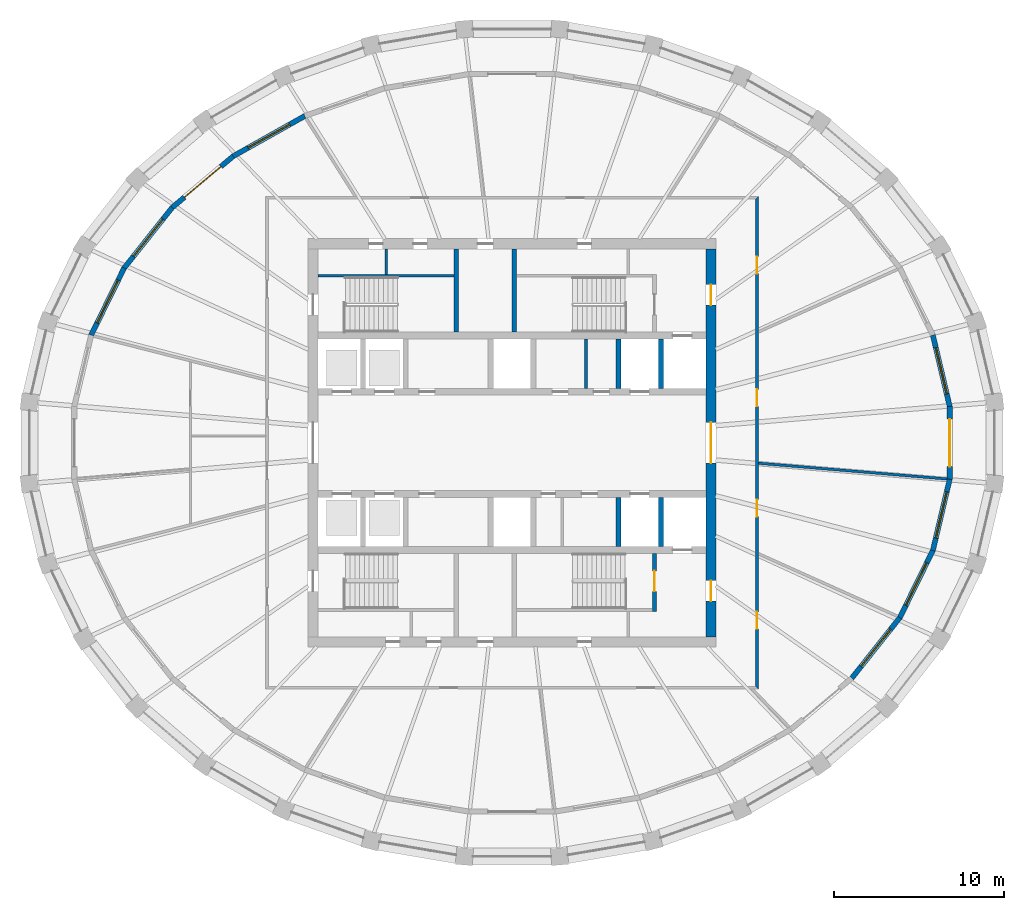
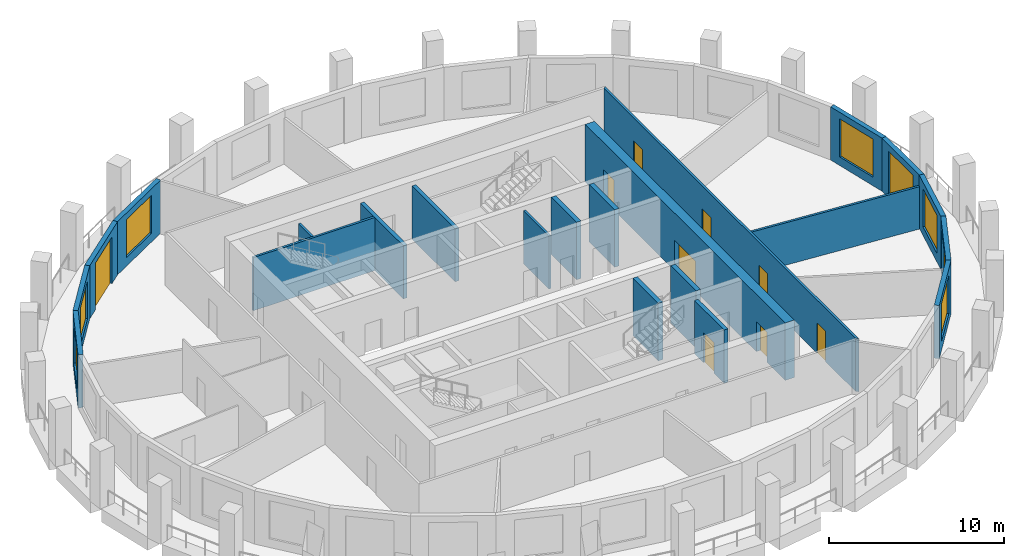
# One storey, part 5 of 10: 22 walls, 10 doors, 7 windows, 17 openings.
"""IFC4 building model written with IfcOpenShell, lengths in metres."""

from ifc_helpers import new_model, si_unit, direction, frame, frame_2d, origin, place, context, subcontext, project, spatial, polyline, rectangle, outline, extrude, material, layer, layer_set, type_object, element, fill, save


model = new_model("IFC4")

# Units and contexts
model_context = context("Model", 3, precision=1e-05, world=origin(), true_north=direction((0.0, 1.0)))
body_context = subcontext(model_context, "Body", "Model", "MODEL_VIEW")
ifc_project = project(units=[si_unit("LENGTHUNIT", "METRE"), si_unit("AREAUNIT", "SQUARE_METRE"), si_unit("VOLUMEUNIT", "CUBIC_METRE"), si_unit("PLANEANGLEUNIT", "RADIAN"), si_unit("MASSUNIT", "GRAM", prefix="KILO")], contexts=[model_context])

# Site, building, storey
site_placement = place(None, origin())
site = spatial("IfcSite", under=ifc_project, at=site_placement, CompositionType="ELEMENT")
building_placement = place(site_placement, origin())
building = spatial("IfcBuilding", under=site, at=building_placement, Name="Halqa Exchange Tower", CompositionType="ELEMENT")
storey_placement = place(building_placement, frame((0.0, 0.0, 316.300048828125)))
storey = spatial("IfcBuildingStorey", under=building, at=storey_placement, Name="L74", CompositionType="ELEMENT", Elevation=316.300048828125)

# Wall, openings, doors
ifc_material_1 = material(Name="Fire-rated gypsum board")
ifc_layer_1 = layer(ifc_material_1, 0.14990234375)
ifc_layer_set_1 = layer_set([ifc_layer_1], Name="Fire-rated gypsum board")
wall_type_1 = type_object("IfcWallType", Name="Fire partition EI 60 150", PredefinedType="PARTITIONING", material=ifc_layer_set_1)
wall_1_placement = place(storey_placement, frame((14.39990234375, -14.47509765625, 0.0), z_axis=(0.0, 0.0, 1.0), x_axis=(0.0, 1.0, 0.0)))
wall_1 = element("IfcWall", 1, at=wall_1_placement, inside=storey, type_object=wall_type_1, Name="L74-PWL-015", PredefinedType="PARTITIONING", context=body_context, shape_type="SweptSolid", body=[
    extrude(outline(polyline([(0.000244140625, -0.074951171875), (1.93017578125, -0.074951171875), (3.860107421875, -0.074951171875), (5.790283203125, -0.074951171875), (7.72021484375, -0.074951171875), (9.650146484375, -0.074951171875), (11.580078125, -0.074951171875), (13.510009765625, -0.074951171875), (15.440185546875, -0.074951171875), (17.3701171875, -0.074951171875), (19.300048828125, -0.074951171875), (21.22998046875, -0.074951171875), (23.159912109375, -0.074951171875), (25.090087890625, -0.074951171875), (27.02001953125, -0.074951171875), (28.949951171875, -0.074951171875), (28.800048828125, 0.074951171875), (26.89013671875, 0.074951171875), (24.97998046875, 0.074951171875), (23.070068359375, 0.074951171875), (21.16015625, 0.074951171875), (19.25, 0.074951171875), (17.340087890625, 0.074951171875), (15.43017578125, 0.074951171875), (13.52001953125, 0.074951171875), (11.610107421875, 0.074951171875), (9.7001953125, 0.074951171875), (7.7900390625, 0.074951171875), (5.880126953125, 0.074951171875), (3.97021484375, 0.074951171875), (2.06005859375, 0.074951171875), (0.150146484375, 0.074951171875), (0.000244140625, -0.074951171875)])), origin(), (0.0, 0.0, 1.0), 3.699951171875),
])
opening_1_placement = place(wall_1_placement, frame((24.4150390625, 0.0, 0.0)))
opening_1 = element("IfcOpeningElement", 2, at=opening_1_placement, cuts=wall_1, Name="Opening 23-01", PredefinedType="OPENING", context=body_context, shape_type="SweptSolid", body=[
    extrude(rectangle(XDim=1.0, YDim=2.10009765625, at=frame_2d((0.5, 1.050048828125))), frame((0.0, 0.0869140625, 0.0), z_axis=(0.0, -1.0, 0.0), x_axis=(1.0, 0.0, 0.0)), (0.0, 0.0, 1.0), 0.173828125),
])
opening_2_placement = place(wall_1_placement, frame((3.534912109375, 0.0, 0.0)))
opening_2 = element("IfcOpeningElement", 3, at=opening_2_placement, cuts=wall_1, Name="Opening 23-10", PredefinedType="OPENING", context=body_context, shape_type="SweptSolid", body=[
    extrude(rectangle(XDim=1.0, YDim=2.10009765625, at=frame_2d((0.5, 1.050048828125))), frame((0.0, 0.0869140625, 0.0), z_axis=(0.0, -1.0, 0.0), x_axis=(1.0, 0.0, 0.0)), (0.0, 0.0, 1.0), 0.173828125),
])
opening_3_placement = place(wall_1_placement, frame((10.139892578125, 0.0, 0.0)))
opening_3 = element("IfcOpeningElement", 4, at=opening_3_placement, cuts=wall_1, Name="Opening 23-11", PredefinedType="OPENING", context=body_context, shape_type="SweptSolid", body=[
    extrude(rectangle(XDim=1.0, YDim=2.10009765625, at=frame_2d((0.5, 1.050048828125))), frame((0.0, 0.0869140625, 0.0), z_axis=(0.0, -1.0, 0.0), x_axis=(1.0, 0.0, 0.0)), (0.0, 0.0, 1.0), 0.173828125),
])
opening_4_placement = place(wall_1_placement, frame((16.6201171875, 0.0, 0.0)))
opening_4 = element("IfcOpeningElement", 5, at=opening_4_placement, cuts=wall_1, Name="Opening 23-12", PredefinedType="OPENING", context=body_context, shape_type="SweptSolid", body=[
    extrude(rectangle(XDim=1.0, YDim=2.10009765625, at=frame_2d((0.5, 1.050048828125))), frame((0.0, 0.0869140625, 0.0), z_axis=(0.0, -1.0, 0.0), x_axis=(1.0, 0.0, 0.0)), (0.0, 0.0, 1.0), 0.173828125),
])
ifc_material_2 = material(Name="Steel fire door leaf", Category="steel")
door_type_1 = type_object("IfcDoorType", Name="Fire door FD30S 1000 x 2100", OperationType="SINGLE_SWING_LEFT", PredefinedType="DOOR", material=ifc_material_2)
door_1_placement = place(opening_1_placement, frame((1.0, 0.0, 0.0), z_axis=(0.0, 0.0, 1.0), x_axis=(-1.0, 0.0, 0.0)))
door_1 = element("IfcDoor", 6, at=door_1_placement, inside=storey, type_object=door_type_1, Name="L74-IDR-001", OperationType="SINGLE_SWING_LEFT", OverallHeight=2.10009765625, OverallWidth=1.0, PredefinedType="DOOR", context=body_context, shape_type="SweptSolid", body=[
    extrude(rectangle(XDim=1.0, YDim=2.10009765625, at=frame_2d((0.5, 1.050048828125))), frame((0.0, 0.02490234375, 0.0), z_axis=(0.0, -1.0, 0.0), x_axis=(1.0, 0.0, 0.0)), (0.0, 0.0, 1.0), 0.050048828125),
])
fill(opening_1, door_1)
door_2_placement = place(opening_2_placement, frame((1.0, 0.0, 0.0), z_axis=(0.0, 0.0, 1.0), x_axis=(-1.0, 0.0, 0.0)))
door_2 = element("IfcDoor", 7, at=door_2_placement, inside=storey, type_object=door_type_1, Name="L74-IDR-010", OperationType="SINGLE_SWING_RIGHT", OverallHeight=2.10009765625, OverallWidth=1.0, PredefinedType="DOOR", context=body_context, shape_type="SweptSolid", body=[
    extrude(rectangle(XDim=1.0, YDim=2.10009765625, at=frame_2d((0.5, 1.050048828125))), frame((0.0, 0.02490234375, 0.0), z_axis=(0.0, -1.0, 0.0), x_axis=(1.0, 0.0, 0.0)), (0.0, 0.0, 1.0), 0.050048828125),
])
fill(opening_2, door_2)
door_3_placement = place(opening_3_placement, frame((1.0, 0.0, 0.0), z_axis=(0.0, 0.0, 1.0), x_axis=(-1.0, 0.0, 0.0)))
door_3 = element("IfcDoor", 8, at=door_3_placement, inside=storey, type_object=door_type_1, Name="L74-IDR-011", OperationType="SINGLE_SWING_RIGHT", OverallHeight=2.10009765625, OverallWidth=1.0, PredefinedType="DOOR", context=body_context, shape_type="SweptSolid", body=[
    extrude(rectangle(XDim=1.0, YDim=2.10009765625, at=frame_2d((0.5, 1.050048828125))), frame((0.0, 0.02490234375, 0.0), z_axis=(0.0, -1.0, 0.0), x_axis=(1.0, 0.0, 0.0)), (0.0, 0.0, 1.0), 0.050048828125),
])
fill(opening_3, door_3)
door_4_placement = place(opening_4_placement, frame((1.0, 0.0, 0.0), z_axis=(0.0, 0.0, 1.0), x_axis=(-1.0, 0.0, 0.0)))
door_4 = element("IfcDoor", 9, at=door_4_placement, inside=storey, type_object=door_type_1, Name="L74-IDR-012", OperationType="SINGLE_SWING_RIGHT", OverallHeight=2.10009765625, OverallWidth=1.0, PredefinedType="DOOR", context=body_context, shape_type="SweptSolid", body=[
    extrude(rectangle(XDim=1.0, YDim=2.10009765625, at=frame_2d((0.5, 1.050048828125))), frame((0.0, 0.02490234375, 0.0), z_axis=(0.0, -1.0, 0.0), x_axis=(1.0, 0.0, 0.0)), (0.0, 0.0, 1.0), 0.050048828125),
])
fill(opening_4, door_4)

# Walls
wall_2_placement = place(storey_placement, frame((14.46875, -1.19580078125, 0.0), z_axis=(0.0, 0.0, 1.0), x_axis=(0.996522290584, -0.083326612611, 0.0)))
element("IfcWall", 10, at=wall_2_placement, inside=storey, type_object=wall_type_1, Name="L74-PWL-017", PredefinedType="PARTITIONING", context=body_context, shape_type="SweptSolid", body=[
    extrude(outline(polyline([(0.012451171875, -0.074951171875), (1.8662109375, -0.074951171875), (3.7197265625, -0.074951171875), (5.5732421875, -0.074951171875), (7.4267578125, -0.074951171875), (9.2802734375, -0.074951171875), (11.134033203125, -0.074951171875), (11.1396484375, -0.036865234375), (11.1396484375, 0.074951171875), (9.282958984375, 0.074951171875), (7.426513671875, 0.074951171875), (5.56982421875, 0.074951171875), (3.713134765625, 0.074951171875), (1.856689453125, 0.074951171875), (0.0, 0.074951171875), (0.012451171875, -0.074951171875)])), origin(), (0.0, 0.0, 1.0), 2.947021484375),
])
ifc_material_3 = material(Name="Gypsum board")
ifc_layer_2 = layer(ifc_material_3, 0.14990234375)
ifc_layer_set_2 = layer_set([ifc_layer_2], Name="Gypsum board")
wall_type_2 = type_object("IfcWallType", Name="Penthouse riser wall 150 gypsum", PredefinedType="PARTITIONING", material=ifc_layer_set_2)
wall_3_placement = place(storey_placement, frame((-7.39990234375, 9.89990234375, 0.0), z_axis=(0.0, 0.0, 1.0), x_axis=(0.0, 1.0, 0.0)))
element("IfcWall", 11, at=wall_3_placement, inside=storey, type_object=wall_type_2, Name="Partition W7.400 N", PredefinedType="PARTITIONING", context=body_context, shape_type="SweptSolid", body=[
    extrude(rectangle(XDim=1.5, YDim=0.14990234375, at=frame_2d((0.75, 0.0))), origin(), (0.0, 0.0, 1.0), 3.699951171875),
])
wall_4_placement = place(storey_placement, frame((4.35009765625, 3.199951171875, 0.0), z_axis=(0.0, 0.0, 1.0), x_axis=(0.0, 1.0, 0.0)))
element("IfcWall", 12, at=wall_4_placement, inside=storey, type_object=wall_type_2, Name="Freed bay partition NE4.350", PredefinedType="PARTITIONING", context=body_context, shape_type="SweptSolid", body=[
    extrude(rectangle(XDim=2.900146484375, YDim=0.14990234375, at=frame_2d((1.4501953125, 0.0))), origin(), (0.0, 0.0, 1.0), 3.699951171875),
])
ifc_material_4 = material(Name="Concrete C60/75", Category="concrete")
ifc_layer_3 = layer(ifc_material_4, 0.300048828125)
ifc_layer_set_3 = layer_set([ifc_layer_3], Name="Concrete C60/75")
wall_type_3 = type_object("IfcWallType", Name="RC core wall 300", PredefinedType="SHEAR", material=ifc_layer_set_3)
for number, where, z_axis, x_axis, name in (
    (13, (6.25, 3.199951171875, 0.0), (0.0, 0.0, 1.0), (0.0, 1.0, 0.0), "Shaft divider N7"),
    (14, (8.75, 3.199951171875, 0.0), (0.0, 0.0, 1.0), (0.0, 1.0, 0.0), "Shaft divider N8"),
    (15, (6.25, -6.10009765625, 0.0), (0.0, 0.0, 1.0), (0.0, 1.0, 0.0), "Shaft divider S7"),
    (16, (8.75, -6.10009765625, 0.0), (0.0, 0.0, 1.0), (0.0, 1.0, 0.0), "Shaft divider S8"),
):
    element("IfcWall", number, at=place(storey_placement, frame(where, z_axis=z_axis, x_axis=x_axis)), inside=storey, type_object=wall_type_3, Name=name, PredefinedType="SHEAR", context=body_context, shape_type="SweptSolid", body=[
        extrude(rectangle(XDim=2.900146484375, YDim=0.300048828125, at=frame_2d((1.4501953125, 0.0))), origin(), (0.0, 0.0, 1.0), 4.0),
    ])

# Wall, openings, doors
ifc_layer_4 = layer(ifc_material_4, 0.60009765625)
ifc_layer_set_4 = layer_set([ifc_layer_4], Name="Concrete C60/75")
wall_type_4 = type_object("IfcWallType", Name="RC core wall 600 C60/75", PredefinedType="SHEAR", material=ifc_layer_set_4)
wall_5_placement = place(storey_placement, frame((11.699951171875, -11.39990234375, 0.0), z_axis=(0.0, 0.0, 1.0), x_axis=(0.0, 1.0, 0.0)))
wall_5 = element("IfcWall", 17, at=wall_5_placement, inside=storey, type_object=wall_type_4, Name="Core wall east", PredefinedType="SHEAR", context=body_context, shape_type="SweptSolid", body=[
    extrude(rectangle(XDim=22.7998046875, YDim=0.60009765625, at=frame_2d((11.39990234375, 0.0))), origin(), (0.0, 0.0, 1.0), 4.0),
])
opening_5_placement = place(wall_5_placement, frame((10.199951171875, 0.0, 0.0)))
opening_5 = element("IfcOpeningElement", 18, at=opening_5_placement, cuts=wall_5, Name="Opening T23-C10", PredefinedType="OPENING", context=body_context, shape_type="SweptSolid", body=[
    extrude(rectangle(XDim=2.39990234375, YDim=2.10009765625, at=frame_2d((1.199951171875, 1.050048828125))), frame((0.0, 0.31201171875, 0.0), z_axis=(0.0, -1.0, 0.0), x_axis=(1.0, 0.0, 0.0)), (0.0, 0.0, 1.0), 0.6240234375),
])
opening_6_placement = place(wall_5_placement, frame((19.5, 0.0, 0.0)))
opening_6 = element("IfcOpeningElement", 19, at=opening_6_placement, cuts=wall_5, Name="Opening T23-C15", PredefinedType="OPENING", context=body_context, shape_type="SweptSolid", body=[
    extrude(rectangle(XDim=1.199951171875, YDim=2.10009765625, at=frame_2d((0.60009765625, 1.050048828125))), frame((0.0, 0.31201171875, 0.0), z_axis=(0.0, -1.0, 0.0), x_axis=(1.0, 0.0, 0.0)), (0.0, 0.0, 1.0), 0.6240234375),
])
opening_7_placement = place(wall_5_placement, frame((2.10009765625, 0.0, 0.0)))
opening_7 = element("IfcOpeningElement", 20, at=opening_7_placement, cuts=wall_5, Name="Opening T23-C16", PredefinedType="OPENING", context=body_context, shape_type="SweptSolid", body=[
    extrude(rectangle(XDim=1.199951171875, YDim=2.10009765625, at=frame_2d((0.60009765625, 1.050048828125))), frame((0.0, 0.31201171875, 0.0), z_axis=(0.0, -1.0, 0.0), x_axis=(1.0, 0.0, 0.0)), (0.0, 0.0, 1.0), 0.6240234375),
])
door_type_2 = type_object("IfcDoorType", Name="Firefighting lobby door FD90 1200 x 2100", OperationType="SINGLE_SWING_RIGHT", PredefinedType="DOOR", material=ifc_material_2)
door_5_placement = place(opening_6_placement, origin())
door_5 = element("IfcDoor", 21, at=door_5_placement, inside=storey, type_object=door_type_2, Name="Firefighting lobby door", OperationType="SINGLE_SWING_RIGHT", OverallHeight=2.10009765625, OverallWidth=1.199951171875, PredefinedType="DOOR", context=body_context, shape_type="SweptSolid", body=[
    extrude(rectangle(XDim=1.199951171875, YDim=2.10009765625, at=frame_2d((0.60009765625, 1.050048828125))), frame((0.0, 0.02490234375, 0.0), z_axis=(0.0, -1.0, 0.0), x_axis=(1.0, 0.0, 0.0)), (0.0, 0.0, 1.0), 0.050048828125),
])
fill(opening_6, door_5)
door_6_placement = place(opening_7_placement, origin())
door_6 = element("IfcDoor", 22, at=door_6_placement, inside=storey, type_object=door_type_2, Name="Firefighting lobby door", OperationType="SINGLE_SWING_LEFT", OverallHeight=2.10009765625, OverallWidth=1.199951171875, PredefinedType="DOOR", context=body_context, shape_type="SweptSolid", body=[
    extrude(rectangle(XDim=1.199951171875, YDim=2.10009765625, at=frame_2d((0.60009765625, 1.050048828125))), frame((0.0, 0.02490234375, 0.0), z_axis=(0.0, -1.0, 0.0), x_axis=(1.0, 0.0, 0.0)), (0.0, 0.0, 1.0), 0.050048828125),
])
fill(opening_7, door_6)
door_type_3 = type_object("IfcDoorType", Name="Lobby double door FD60 2400 x 2100", OperationType="DOUBLE_DOOR_SINGLE_SWING", PredefinedType="DOOR", material=ifc_material_2)
door_7_placement = place(opening_5_placement, origin())
door_7 = element("IfcDoor", 23, at=door_7_placement, inside=storey, type_object=door_type_3, Name="Lift lobby double door", OperationType="DOUBLE_DOOR_SINGLE_SWING", OverallHeight=2.10009765625, OverallWidth=2.39990234375, PredefinedType="DOOR", context=body_context, shape_type="SweptSolid", body=[
    extrude(rectangle(XDim=2.39990234375, YDim=2.10009765625, at=frame_2d((1.199951171875, 1.050048828125))), frame((0.0, 0.02490234375, 0.0), z_axis=(0.0, -1.0, 0.0), x_axis=(1.0, 0.0, 0.0)), (0.0, 0.0, 1.0), 0.050048828125),
])
fill(opening_5, door_7)

# Walls
ifc_material_5 = material(Name="Concrete C30/37", Category="concrete")
ifc_layer_5 = layer(ifc_material_5, 0.14990234375)
ifc_layer_set_5 = layer_set([ifc_layer_5], Name="Concrete C30/37")
wall_type_5 = type_object("IfcWallType", Name="RC stair wall 150 C30/37", PredefinedType="SHEAR", material=ifc_layer_set_5)
wall_6_placement = place(storey_placement, frame((-11.39990234375, 9.824951171875, 0.0), z_axis=(0.0, 0.0, 1.0), x_axis=(1.0, 0.0, 0.0)))
element("IfcWall", 24, at=wall_6_placement, inside=storey, type_object=wall_type_5, Name="Stair ST1 north wall N", PredefinedType="SHEAR", context=body_context, shape_type="SweptSolid", body=[
    extrude(rectangle(XDim=8.0, YDim=0.14990234375, at=frame_2d((4.0, 0.0))), origin(), (0.0, 0.0, 1.0), 3.699951171875),
])
ifc_layer_6 = layer(ifc_material_5, 0.25)
ifc_layer_set_6 = layer_set([ifc_layer_6], Name="Concrete C30/37")
wall_type_6 = type_object("IfcWallType", Name="RC stair wall 250 C30/37", PredefinedType="SHEAR", material=ifc_layer_set_6)
for number, where, z_axis, x_axis, name in (
    (25, (-3.27490234375, 6.5, 0.0), (0.0, 0.0, 1.0), (0.0, 1.0, 0.0), "Stair ST1 east wall N"),
    (26, (0.125, 6.5, 0.0), (0.0, 0.0, 1.0), (0.0, 1.0, 0.0), "Stair ST2 west wall N"),
):
    element("IfcWall", number, at=place(storey_placement, frame(where, z_axis=z_axis, x_axis=x_axis)), inside=storey, type_object=wall_type_6, Name=name, PredefinedType="SHEAR", context=body_context, shape_type="SweptSolid", body=[
        extrude(rectangle(XDim=4.89990234375, YDim=0.25, at=frame_2d((2.449951171875, 0.0))), origin(), (0.0, 0.0, 1.0), 3.699951171875),
    ])

# Wall, opening, door
wall_7_placement = place(storey_placement, frame((8.375, -9.89990234375, 0.0), z_axis=(0.0, 0.0, 1.0), x_axis=(0.0, 1.0, 0.0)))
wall_7 = element("IfcWall", 27, at=wall_7_placement, inside=storey, type_object=wall_type_6, Name="Stair ST2 east wall S", PredefinedType="SHEAR", context=body_context, shape_type="SweptSolid", body=[
    extrude(rectangle(XDim=3.39990234375, YDim=0.25, at=frame_2d((1.699951171875, 0.0))), origin(), (0.0, 0.0, 1.0), 3.699951171875),
])
opening_8_placement = place(wall_7_placement, frame((1.175048828125, 0.0, 0.0)))
opening_8 = element("IfcOpeningElement", 28, at=opening_8_placement, cuts=wall_7, Name="Opening T23-C14", PredefinedType="OPENING", context=body_context, shape_type="SweptSolid", body=[
    extrude(rectangle(XDim=1.199951171875, YDim=2.10009765625, at=frame_2d((0.60009765625, 1.050048828125))), frame((0.0, 0.136962890625, 0.0), z_axis=(0.0, -1.0, 0.0), x_axis=(1.0, 0.0, 0.0)), (0.0, 0.0, 1.0), 0.27392578125),
])
door_type_4 = type_object("IfcDoorType", Name="Stair door FD90 1200 x 2100", OperationType="SINGLE_SWING_LEFT", PredefinedType="DOOR", material=ifc_material_2)
door_8_placement = place(opening_8_placement, origin())
door_8 = element("IfcDoor", 29, at=door_8_placement, inside=storey, type_object=door_type_4, Name="Stair door ST4", OperationType="SINGLE_SWING_LEFT", OverallHeight=2.10009765625, OverallWidth=1.199951171875, PredefinedType="DOOR", context=body_context, shape_type="SweptSolid", body=[
    extrude(rectangle(XDim=1.199951171875, YDim=2.10009765625, at=frame_2d((0.60009765625, 1.050048828125))), frame((0.0, 0.02490234375, 0.0), z_axis=(0.0, -1.0, 0.0), x_axis=(1.0, 0.0, 0.0)), (0.0, 0.0, 1.0), 0.050048828125),
])
fill(opening_8, door_8)

# Wall, opening, window
ifc_material_6 = material(Name="Limestone cladding", Category="masonry")
ifc_layer_7 = layer(ifc_material_6, 0.0400390625)
ifc_material_7 = material(Name="Ventilated cavity")
ifc_layer_8 = layer(ifc_material_7, 0.030029296875, ventilated=True)
ifc_material_8 = material(Name="Mineral wool insulation")
ifc_layer_9 = layer(ifc_material_8, 0.10009765625)
ifc_layer_10 = layer(ifc_material_5, 0.10009765625)
ifc_material_9 = material(Name="Internal plaster")
ifc_layer_11 = layer(ifc_material_9, 0.030029296875)
ifc_layer_set_7 = layer_set([ifc_layer_7, ifc_layer_8, ifc_layer_9, ifc_layer_10, ifc_layer_11], Name="Stone-faced insulated wall 300")
wall_type_7 = type_object("IfcWallType", Name="Stone-faced insulated wall 300", PredefinedType="STANDARD", material=ifc_layer_set_7)
wall_8_placement = place(storey_placement, frame((25.726318359375, 2.137451171875, 0.0), z_axis=(0.0, 0.0, 1.0), x_axis=(-0.229993247212, 0.97319222471, 0.0)))
wall_8 = element("IfcWall", 30, at=wall_8_placement, inside=storey, type_object=wall_type_7, Name="Glass-line wall 1", PredefinedType="STANDARD", context=body_context, shape_type="SweptSolid", body=[
    extrude(outline(polyline([(-0.017578125, -0.14990234375), (4.32470703125, -0.14990234375), (4.29052734375, 0.14990234375), (0.017578125, 0.14990234375), (-0.017578125, -0.14990234375)])), origin(), (0.0, 0.0, 1.0), 3.699951171875),
])
opening_9_placement = place(wall_8_placement, frame((0.753662109375, 0.0, 0.60009765625)))
opening_9 = element("IfcOpeningElement", 31, at=opening_9_placement, cuts=wall_8, Name="Opening W-F4-01", PredefinedType="OPENING", context=body_context, shape_type="SweptSolid", body=[
    extrude(rectangle(XDim=2.800048828125, YDim=2.64990234375, at=frame_2d((1.39990234375, 1.324951171875))), frame((0.0, 0.162109375, 0.0), z_axis=(0.0, -1.0, 0.0), x_axis=(1.0, 0.0, 0.0)), (0.0, 0.0, 1.0), 0.323974609375),
])
ifc_material_10 = material(Name="Clear low-emissivity glass in aluminium frame", Category="aluminium")
window_type = type_object("IfcWindowType", Name="Fixed clear glazed window 2800 x 2650", PartitioningType="DOUBLE_PANEL_VERTICAL", PredefinedType="WINDOW", material=ifc_material_10)
window_1_placement = place(opening_9_placement, origin())
window_1 = element("IfcWindow", 32, at=window_1_placement, inside=storey, type_object=window_type, Name="Window 4", OverallHeight=2.64990234375, OverallWidth=2.800048828125, PartitioningType="DOUBLE_PANEL_VERTICAL", PredefinedType="WINDOW", context=body_context, shape_type="SweptSolid", body=[
    extrude(rectangle(XDim=2.800048828125, YDim=2.64990234375, at=frame_2d((1.39990234375, 1.324951171875))), frame((0.0, 0.030029296875, 0.0), z_axis=(0.0, -1.0, 0.0), x_axis=(1.0, 0.0, 0.0)), (0.0, 0.0, 1.0), 0.06005859375),
])
fill(opening_9, window_1)

wall_9_placement = place(storey_placement, frame((-12.1767578125, 19.2119140625, 0.0), z_axis=(0.0, 0.0, 1.0), x_axis=(-0.871651071333, -0.49012693238, 0.0)))
wall_9 = element("IfcWall", 33, at=wall_9_placement, inside=storey, type_object=wall_type_7, Name="Glass-line wall 11", PredefinedType="STANDARD", context=body_context, shape_type="SweptSolid", body=[
    extrude(outline(polyline([(-0.01318359375, -0.14990234375), (4.847412109375, -0.14990234375), (4.819091796875, 0.14990234375), (0.01318359375, 0.14990234375), (-0.01318359375, -0.14990234375)])), origin(), (0.0, 0.0, 1.0), 3.699951171875),
])
opening_10_placement = place(wall_9_placement, frame((1.0166015625, 0.0, 0.60009765625)))
opening_10 = element("IfcOpeningElement", 34, at=opening_10_placement, cuts=wall_9, Name="Opening W-F4-11", PredefinedType="OPENING", context=body_context, shape_type="SweptSolid", body=[
    extrude(rectangle(XDim=2.800048828125, YDim=2.64990234375, at=frame_2d((1.39990234375, 1.324951171875))), frame((0.0, 0.162109375, 0.0), z_axis=(0.0, -1.0, 0.0), x_axis=(1.0, 0.0, 0.0)), (0.0, 0.0, 1.0), 0.323974609375),
])
window_2_placement = place(opening_10_placement, origin())
window_2 = element("IfcWindow", 35, at=window_2_placement, inside=storey, type_object=window_type, Name="Window 4", OverallHeight=2.64990234375, OverallWidth=2.800048828125, PartitioningType="DOUBLE_PANEL_VERTICAL", PredefinedType="WINDOW", context=body_context, shape_type="SweptSolid", body=[
    extrude(rectangle(XDim=2.800048828125, YDim=2.64990234375, at=frame_2d((1.39990234375, 1.324951171875))), frame((0.0, 0.030029296875, 0.0), z_axis=(0.0, -1.0, 0.0), x_axis=(1.0, 0.0, 0.0)), (0.0, 0.0, 1.0), 0.06005859375),
])
fill(opening_10, window_2)

# Wall, opening, door
wall_10_placement = place(storey_placement, frame((-16.3896484375, 16.843017578125, 0.0), z_axis=(0.0, 0.0, 1.0), x_axis=(-0.765128700347, -0.643877373344, 0.0)))
wall_10 = element("IfcWall", 36, at=wall_10_placement, inside=storey, type_object=wall_type_7, Name="Glass-line wall 12", PredefinedType="STANDARD", context=body_context, shape_type="SweptSolid", body=[
    extrude(outline(polyline([(-0.01416015625, -0.14990234375), (4.70068359375, -0.14990234375), (4.67041015625, 0.14990234375), (0.01416015625, 0.14990234375), (-0.01416015625, -0.14990234375)])), origin(), (0.0, 0.0, 1.0), 3.699951171875),
])
opening_11_placement = place(wall_10_placement, frame((0.942626953125, 0.0, 0.0)))
opening_11 = element("IfcOpeningElement", 37, at=opening_11_placement, cuts=wall_10, Name="Opening LG-F4-03", PredefinedType="OPENING", context=body_context, shape_type="SweptSolid", body=[
    extrude(rectangle(XDim=2.800048828125, YDim=3.25, at=frame_2d((1.39990234375, 1.625))), frame((0.0, 0.162109375, 0.0), z_axis=(0.0, -1.0, 0.0), x_axis=(1.0, 0.0, 0.0)), (0.0, 0.0, 1.0), 0.323974609375),
])
door_type_5 = type_object("IfcDoorType", Name="Glazed sliding loggia door 2800 x 3250", OperationType="DOUBLE_DOOR_SLIDING", PredefinedType="DOOR", material=ifc_material_10)
door_9_placement = place(opening_11_placement, origin())
door_9 = element("IfcDoor", 38, at=door_9_placement, inside=storey, type_object=door_type_5, Name="Loggia door 3", OperationType="DOUBLE_DOOR_SLIDING", OverallHeight=3.25, OverallWidth=2.800048828125, PredefinedType="DOOR", context=body_context, shape_type="SweptSolid", body=[
    extrude(rectangle(XDim=2.800048828125, YDim=3.25, at=frame_2d((1.39990234375, 1.625))), frame((0.0, 0.02490234375, 0.0), z_axis=(0.0, -1.0, 0.0), x_axis=(1.0, 0.0, 0.0)), (0.0, 0.0, 1.0), 0.050048828125),
])
fill(opening_11, door_9)

# Wall, opening, window
wall_11_placement = place(storey_placement, frame((-19.974609375, 13.826171875, 0.0), z_axis=(0.0, 0.0, 1.0), x_axis=(-0.621800530555, -0.783175650925, 0.0)))
wall_11 = element("IfcWall", 39, at=wall_11_placement, inside=storey, type_object=wall_type_7, Name="Glass-line wall 13", PredefinedType="STANDARD", context=body_context, shape_type="SweptSolid", body=[
    extrude(outline(polyline([(-0.01513671875, -0.14990234375), (4.548583984375, -0.14990234375), (4.516357421875, 0.14990234375), (0.01513671875, 0.14990234375), (-0.01513671875, -0.14990234375)])), origin(), (0.0, 0.0, 1.0), 3.699951171875),
])
opening_12_placement = place(wall_11_placement, frame((0.8662109375, 0.0, 0.60009765625)))
opening_12 = element("IfcOpeningElement", 40, at=opening_12_placement, cuts=wall_11, Name="Opening W-F4-13", PredefinedType="OPENING", context=body_context, shape_type="SweptSolid", body=[
    extrude(rectangle(XDim=2.800048828125, YDim=2.64990234375, at=frame_2d((1.39990234375, 1.324951171875))), frame((0.0, 0.162109375, 0.0), z_axis=(0.0, -1.0, 0.0), x_axis=(1.0, 0.0, 0.0)), (0.0, 0.0, 1.0), 0.323974609375),
])
window_3_placement = place(opening_12_placement, origin())
window_3 = element("IfcWindow", 41, at=window_3_placement, inside=storey, type_object=window_type, Name="Window 4", OverallHeight=2.64990234375, OverallWidth=2.800048828125, PartitioningType="DOUBLE_PANEL_VERTICAL", PredefinedType="WINDOW", context=body_context, shape_type="SweptSolid", body=[
    extrude(rectangle(XDim=2.800048828125, YDim=2.64990234375, at=frame_2d((1.39990234375, 1.324951171875))), frame((0.0, 0.030029296875, 0.0), z_axis=(0.0, -1.0, 0.0), x_axis=(1.0, 0.0, 0.0)), (0.0, 0.0, 1.0), 0.06005859375),
])
fill(opening_12, window_3)

wall_12_placement = place(storey_placement, frame((-22.79296875, 10.2763671875, 0.0), z_axis=(0.0, 0.0, 1.0), x_axis=(-0.441610485853, -0.897206876247, 0.0)))
wall_12 = element("IfcWall", 42, at=wall_12_placement, inside=storey, type_object=wall_type_7, Name="Glass-line wall 14", PredefinedType="STANDARD", context=body_context, shape_type="SweptSolid", body=[
    extrude(outline(polyline([(-0.01611328125, -0.14990234375), (4.416015625, -0.14990234375), (4.3818359375, 0.14990234375), (0.01611328125, 0.14990234375), (-0.01611328125, -0.14990234375)])), origin(), (0.0, 0.0, 1.0), 3.699951171875),
])
opening_13_placement = place(wall_12_placement, frame((0.799560546875, 0.0, 0.60009765625)))
opening_13 = element("IfcOpeningElement", 43, at=opening_13_placement, cuts=wall_12, Name="Opening W-F4-14", PredefinedType="OPENING", context=body_context, shape_type="SweptSolid", body=[
    extrude(rectangle(XDim=2.800048828125, YDim=2.64990234375, at=frame_2d((1.39990234375, 1.324951171875))), frame((0.0, 0.162109375, 0.0), z_axis=(0.0, -1.0, 0.0), x_axis=(1.0, 0.0, 0.0)), (0.0, 0.0, 1.0), 0.323974609375),
])
window_4_placement = place(opening_13_placement, origin())
window_4 = element("IfcWindow", 44, at=window_4_placement, inside=storey, type_object=window_type, Name="Window 4", OverallHeight=2.64990234375, OverallWidth=2.800048828125, PartitioningType="DOUBLE_PANEL_VERTICAL", PredefinedType="WINDOW", context=body_context, shape_type="SweptSolid", body=[
    extrude(rectangle(XDim=2.800048828125, YDim=2.64990234375, at=frame_2d((1.39990234375, 1.324951171875))), frame((0.0, 0.030029296875, 0.0), z_axis=(0.0, -1.0, 0.0), x_axis=(1.0, 0.0, 0.0)), (0.0, 0.0, 1.0), 0.06005859375),
])
fill(opening_13, window_4)

wall_13_placement = place(storey_placement, frame((19.974609375, -13.826171875, 0.0), z_axis=(0.0, 0.0, 1.0), x_axis=(0.621800530555, 0.783175650925, 0.0)))
wall_13 = element("IfcWall", 45, at=wall_13_placement, inside=storey, type_object=wall_type_7, Name="Glass-line wall 29", PredefinedType="STANDARD", context=body_context, shape_type="SweptSolid", body=[
    extrude(outline(polyline([(-0.01513671875, -0.14990234375), (4.548583984375, -0.14990234375), (4.516357421875, 0.14990234375), (0.01513671875, 0.14990234375), (-0.01513671875, -0.14990234375)])), origin(), (0.0, 0.0, 1.0), 3.699951171875),
])
opening_14_placement = place(wall_13_placement, frame((0.8662109375, 0.0, 0.60009765625)))
opening_14 = element("IfcOpeningElement", 46, at=opening_14_placement, cuts=wall_13, Name="Opening W-F4-29", PredefinedType="OPENING", context=body_context, shape_type="SweptSolid", body=[
    extrude(rectangle(XDim=2.800048828125, YDim=2.64990234375, at=frame_2d((1.39990234375, 1.324951171875))), frame((0.0, 0.162109375, 0.0), z_axis=(0.0, -1.0, 0.0), x_axis=(1.0, 0.0, 0.0)), (0.0, 0.0, 1.0), 0.323974609375),
])
window_5_placement = place(opening_14_placement, origin())
window_5 = element("IfcWindow", 47, at=window_5_placement, inside=storey, type_object=window_type, Name="Window 4", OverallHeight=2.64990234375, OverallWidth=2.800048828125, PartitioningType="DOUBLE_PANEL_VERTICAL", PredefinedType="WINDOW", context=body_context, shape_type="SweptSolid", body=[
    extrude(rectangle(XDim=2.800048828125, YDim=2.64990234375, at=frame_2d((1.39990234375, 1.324951171875))), frame((0.0, 0.030029296875, 0.0), z_axis=(0.0, -1.0, 0.0), x_axis=(1.0, 0.0, 0.0)), (0.0, 0.0, 1.0), 0.06005859375),
])
fill(opening_14, window_5)

wall_14_placement = place(storey_placement, frame((22.79296875, -10.2763671875, 0.0), z_axis=(0.0, 0.0, 1.0), x_axis=(0.441610485853, 0.897206876247, 0.0)))
wall_14 = element("IfcWall", 48, at=wall_14_placement, inside=storey, type_object=wall_type_7, Name="Glass-line wall 30", PredefinedType="STANDARD", context=body_context, shape_type="SweptSolid", body=[
    extrude(outline(polyline([(-0.01611328125, -0.14990234375), (4.416015625, -0.14990234375), (4.3818359375, 0.14990234375), (0.01611328125, 0.14990234375), (-0.01611328125, -0.14990234375)])), origin(), (0.0, 0.0, 1.0), 3.699951171875),
])
opening_15_placement = place(wall_14_placement, frame((0.799560546875, 0.0, 0.60009765625)))
opening_15 = element("IfcOpeningElement", 49, at=opening_15_placement, cuts=wall_14, Name="Opening W-F4-30", PredefinedType="OPENING", context=body_context, shape_type="SweptSolid", body=[
    extrude(rectangle(XDim=2.800048828125, YDim=2.64990234375, at=frame_2d((1.39990234375, 1.324951171875))), frame((0.0, 0.162109375, 0.0), z_axis=(0.0, -1.0, 0.0), x_axis=(1.0, 0.0, 0.0)), (0.0, 0.0, 1.0), 0.323974609375),
])
window_6_placement = place(opening_15_placement, origin())
window_6 = element("IfcWindow", 50, at=window_6_placement, inside=storey, type_object=window_type, Name="Window 4", OverallHeight=2.64990234375, OverallWidth=2.800048828125, PartitioningType="DOUBLE_PANEL_VERTICAL", PredefinedType="WINDOW", context=body_context, shape_type="SweptSolid", body=[
    extrude(rectangle(XDim=2.800048828125, YDim=2.64990234375, at=frame_2d((1.39990234375, 1.324951171875))), frame((0.0, 0.030029296875, 0.0), z_axis=(0.0, -1.0, 0.0), x_axis=(1.0, 0.0, 0.0)), (0.0, 0.0, 1.0), 0.06005859375),
])
fill(opening_15, window_6)

wall_15_placement = place(storey_placement, frame((24.735595703125, -6.32958984375, 0.0), z_axis=(0.0, 0.0, 1.0), x_axis=(0.229993247212, 0.97319222471, 0.0)))
wall_15 = element("IfcWall", 51, at=wall_15_placement, inside=storey, type_object=wall_type_7, Name="Glass-line wall 31", PredefinedType="STANDARD", context=body_context, shape_type="SweptSolid", body=[
    extrude(outline(polyline([(-0.01708984375, -0.14990234375), (4.3251953125, -0.14990234375), (4.2900390625, 0.14990234375), (0.01708984375, 0.14990234375), (-0.01708984375, -0.14990234375)])), origin(), (0.0, 0.0, 1.0), 3.699951171875),
])
opening_16_placement = place(wall_15_placement, frame((0.753662109375, 0.0, 0.60009765625)))
opening_16 = element("IfcOpeningElement", 52, at=opening_16_placement, cuts=wall_15, Name="Opening W-F4-31", PredefinedType="OPENING", context=body_context, shape_type="SweptSolid", body=[
    extrude(rectangle(XDim=2.800048828125, YDim=2.64990234375, at=frame_2d((1.39990234375, 1.324951171875))), frame((0.0, 0.162109375, 0.0), z_axis=(0.0, -1.0, 0.0), x_axis=(1.0, 0.0, 0.0)), (0.0, 0.0, 1.0), 0.323974609375),
])
window_7_placement = place(opening_16_placement, origin())
window_7 = element("IfcWindow", 53, at=window_7_placement, inside=storey, type_object=window_type, Name="Window 4", OverallHeight=2.64990234375, OverallWidth=2.800048828125, PartitioningType="DOUBLE_PANEL_VERTICAL", PredefinedType="WINDOW", context=body_context, shape_type="SweptSolid", body=[
    extrude(rectangle(XDim=2.800048828125, YDim=2.64990234375, at=frame_2d((1.39990234375, 1.324951171875))), frame((0.0, 0.030029296875, 0.0), z_axis=(0.0, -1.0, 0.0), x_axis=(1.0, 0.0, 0.0)), (0.0, 0.0, 1.0), 0.06005859375),
])
fill(opening_16, window_7)

# Wall, opening, door
wall_16_placement = place(storey_placement, frame((25.726318359375, -2.137451171875, 0.0), z_axis=(0.0, 0.0, 1.0), x_axis=(0.0, 1.0, 0.0)))
wall_16 = element("IfcWall", 54, at=wall_16_placement, inside=storey, type_object=wall_type_7, Name="Glass-line wall 32", PredefinedType="STANDARD", context=body_context, shape_type="SweptSolid", body=[
    extrude(outline(polyline([(-0.017578125, -0.14990234375), (4.29248046875, -0.14990234375), (4.25732421875, 0.14990234375), (0.017578125, 0.14990234375), (-0.017578125, -0.14990234375)])), origin(), (0.0, 0.0, 1.0), 3.699951171875),
])
opening_17_placement = place(wall_16_placement, frame((0.737548828125, 0.0, 0.0)))
opening_17 = element("IfcOpeningElement", 55, at=opening_17_placement, cuts=wall_16, Name="Opening LG-F4-08", PredefinedType="OPENING", context=body_context, shape_type="SweptSolid", body=[
    extrude(rectangle(XDim=2.800048828125, YDim=3.25, at=frame_2d((1.39990234375, 1.625))), frame((0.0, 0.162109375, 0.0), z_axis=(0.0, -1.0, 0.0), x_axis=(1.0, 0.0, 0.0)), (0.0, 0.0, 1.0), 0.323974609375),
])
door_10_placement = place(opening_17_placement, origin())
door_10 = element("IfcDoor", 56, at=door_10_placement, inside=storey, type_object=door_type_5, Name="Loggia door 8", OperationType="DOUBLE_DOOR_SLIDING", OverallHeight=3.25, OverallWidth=2.800048828125, PredefinedType="DOOR", context=body_context, shape_type="SweptSolid", body=[
    extrude(rectangle(XDim=2.800048828125, YDim=3.25, at=frame_2d((1.39990234375, 1.625))), frame((0.0, 0.02490234375, 0.0), z_axis=(0.0, -1.0, 0.0), x_axis=(1.0, 0.0, 0.0)), (0.0, 0.0, 1.0), 0.050048828125),
])
fill(opening_17, door_10)

save(model, "model.ifc")
